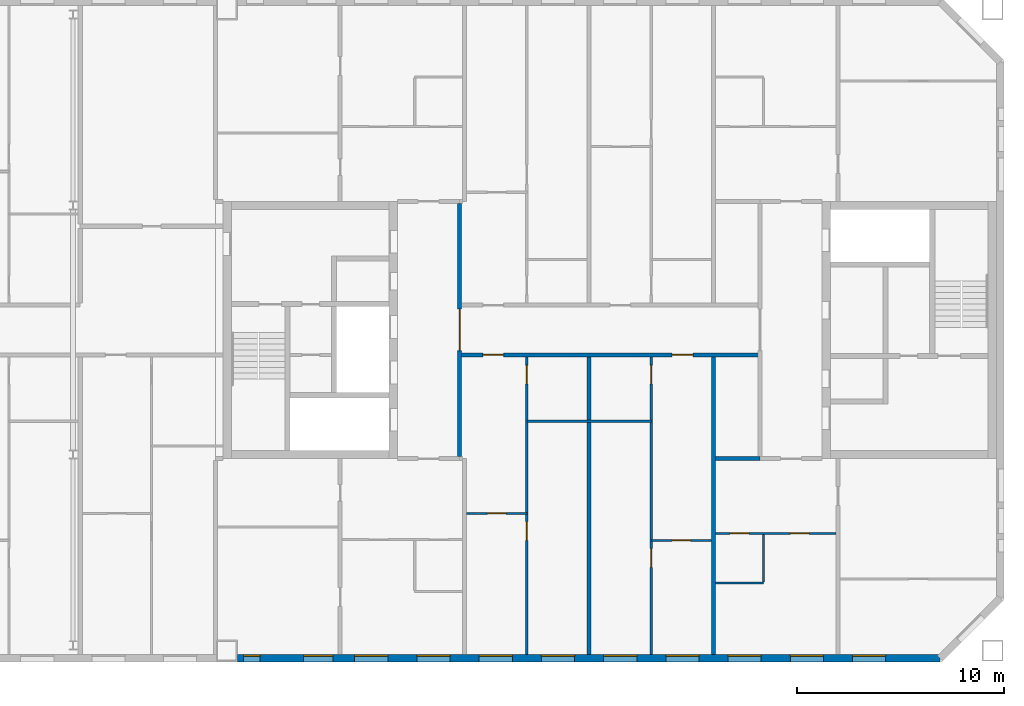
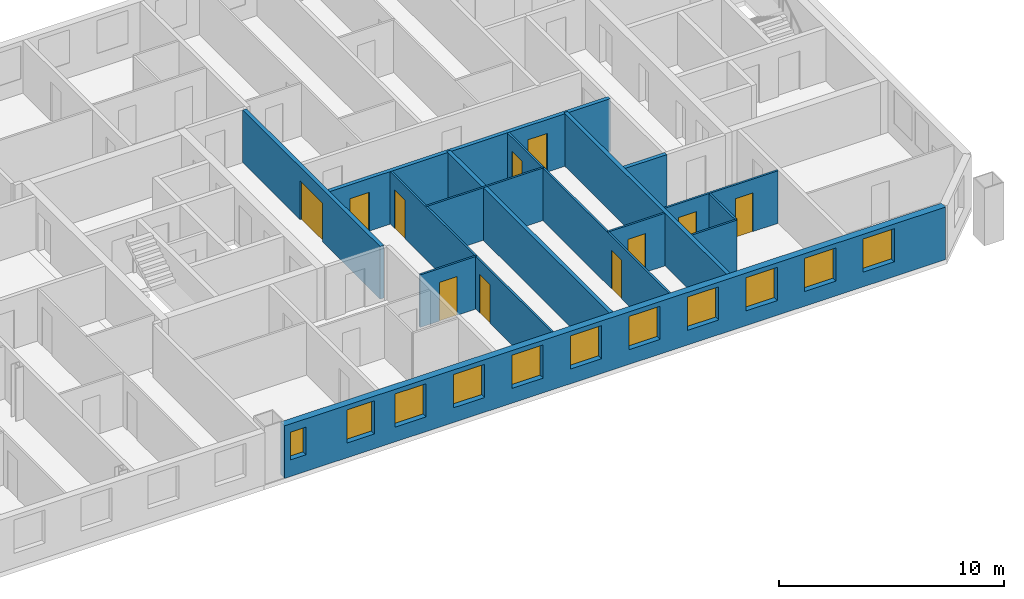
# One storey, part 14 of 19: 14 walls, 11 doors, 11 windows, 22 openings.
"""IFC4 building model written with IfcOpenShell, lengths in metres."""

from ifc_helpers import new_model, si_unit, direction, frame, frame_2d, origin, place, context, subcontext, project, spatial, rectangle, extrude, material, layer, layer_set, type_object, element, fill, save


model = new_model("IFC4")

# Units and contexts
model_context = context("Model", 3, precision=1e-05, world=origin(), true_north=direction((0.0, 1.0)))
body_context = subcontext(model_context, "Body", "Model", "MODEL_VIEW")
ifc_project = project(units=[si_unit("LENGTHUNIT", "METRE"), si_unit("AREAUNIT", "SQUARE_METRE"), si_unit("VOLUMEUNIT", "CUBIC_METRE"), si_unit("PLANEANGLEUNIT", "RADIAN"), si_unit("MASSUNIT", "GRAM", prefix="KILO")], contexts=[model_context])

# Site, building, storey
site_placement = place(None, origin())
site = spatial("IfcSite", under=ifc_project, at=site_placement, CompositionType="ELEMENT")
building_placement = place(site_placement, origin())
building = spatial("IfcBuilding", under=site, at=building_placement, Name="Tuart Gate Housing", CompositionType="ELEMENT")
storey_placement = place(building_placement, frame((0.0, 0.0, 205.89990234375)))
storey = spatial("IfcBuildingStorey", under=building, at=storey_placement, Name="L58", CompositionType="ELEMENT", Elevation=205.89990234375)

# Wall, openings, windows
ifc_material_1 = material(Name="Brick", Category="masonry")
ifc_layer_1 = layer(ifc_material_1, 0.360107421875)
ifc_layer_set_1 = layer_set([ifc_layer_1], Name="Brick pier and spandrel wall 360")
wall_type_1 = type_object("IfcWallType", Name="Brick pier and spandrel wall 360", PredefinedType="STANDARD", material=ifc_layer_set_1)
wall_1_placement = place(storey_placement, frame((132.050048828125, 54.179931640625, 0.0), z_axis=(0.0, 0.0, 1.0), x_axis=(1.0, 0.0, 0.0)))
wall_1 = element("IfcWall", 1, at=wall_1_placement, inside=storey, type_object=wall_type_1, Name="External wall BLK-S L58", PredefinedType="STANDARD", context=body_context, shape_type="SweptSolid", body=[
    extrude(rectangle(XDim=33.87548828125, YDim=0.360107421875, at=frame_2d((16.937744140625, 0.0))), origin(), (0.0, 0.0, 1.0), 2.85009765625),
])
opening_1_placement = place(wall_1_placement, frame((0.300048828125, 0.0, 0.89990234375)))
opening_1 = element("IfcOpeningElement", 2, at=opening_1_placement, cuts=wall_1, Name="Opening W1J", PredefinedType="OPENING", context=body_context, shape_type="SweptSolid", body=[
    extrude(rectangle(XDim=0.800048828125, YDim=1.5, at=frame_2d((0.39990234375, 0.75))), frame((0.0, 0.18994140625, 0.0), z_axis=(0.0, -1.0, 0.0), x_axis=(1.0, 0.0, 0.0)), (0.0, 0.0, 1.0), 0.380126953125),
])
opening_2_placement = place(wall_1_placement, frame((5.64990234375, 0.0, 0.800048828125)))
opening_2 = element("IfcOpeningElement", 3, at=opening_2_placement, cuts=wall_1, Name="Opening W1", PredefinedType="OPENING", context=body_context, shape_type="SweptSolid", body=[
    extrude(rectangle(XDim=1.60009765625, YDim=1.800048828125, at=frame_2d((0.800048828125, 0.89990234375))), frame((0.0, 0.18994140625, 0.0), z_axis=(0.0, -1.0, 0.0), x_axis=(1.0, 0.0, 0.0)), (0.0, 0.0, 1.0), 0.380126953125),
])
opening_3_placement = place(wall_1_placement, frame((8.64990234375, 0.0, 0.800048828125)))
opening_3 = element("IfcOpeningElement", 4, at=opening_3_placement, cuts=wall_1, Name="Opening W1", PredefinedType="OPENING", context=body_context, shape_type="SweptSolid", body=[
    extrude(rectangle(XDim=1.60009765625, YDim=1.800048828125, at=frame_2d((0.800048828125, 0.89990234375))), frame((0.0, 0.18994140625, 0.0), z_axis=(0.0, -1.0, 0.0), x_axis=(1.0, 0.0, 0.0)), (0.0, 0.0, 1.0), 0.380126953125),
])
opening_4_placement = place(wall_1_placement, frame((11.64990234375, 0.0, 0.800048828125)))
opening_4 = element("IfcOpeningElement", 5, at=opening_4_placement, cuts=wall_1, Name="Opening W1", PredefinedType="OPENING", context=body_context, shape_type="SweptSolid", body=[
    extrude(rectangle(XDim=1.60009765625, YDim=1.800048828125, at=frame_2d((0.800048828125, 0.89990234375))), frame((0.0, 0.18994140625, 0.0), z_axis=(0.0, -1.0, 0.0), x_axis=(1.0, 0.0, 0.0)), (0.0, 0.0, 1.0), 0.380126953125),
])
opening_5_placement = place(wall_1_placement, frame((14.64990234375, 0.0, 0.800048828125)))
opening_5 = element("IfcOpeningElement", 6, at=opening_5_placement, cuts=wall_1, Name="Opening W1", PredefinedType="OPENING", context=body_context, shape_type="SweptSolid", body=[
    extrude(rectangle(XDim=1.60009765625, YDim=1.800048828125, at=frame_2d((0.800048828125, 0.89990234375))), frame((0.0, 0.18994140625, 0.0), z_axis=(0.0, -1.0, 0.0), x_axis=(1.0, 0.0, 0.0)), (0.0, 0.0, 1.0), 0.380126953125),
])
opening_6_placement = place(wall_1_placement, frame((17.64990234375, 0.0, 0.800048828125)))
opening_6 = element("IfcOpeningElement", 7, at=opening_6_placement, cuts=wall_1, Name="Opening W1", PredefinedType="OPENING", context=body_context, shape_type="SweptSolid", body=[
    extrude(rectangle(XDim=1.60009765625, YDim=1.800048828125, at=frame_2d((0.800048828125, 0.89990234375))), frame((0.0, 0.18994140625, 0.0), z_axis=(0.0, -1.0, 0.0), x_axis=(1.0, 0.0, 0.0)), (0.0, 0.0, 1.0), 0.380126953125),
])
opening_7_placement = place(wall_1_placement, frame((20.64990234375, 0.0, 0.800048828125)))
opening_7 = element("IfcOpeningElement", 8, at=opening_7_placement, cuts=wall_1, Name="Opening W1", PredefinedType="OPENING", context=body_context, shape_type="SweptSolid", body=[
    extrude(rectangle(XDim=1.60009765625, YDim=1.800048828125, at=frame_2d((0.800048828125, 0.89990234375))), frame((0.0, 0.18994140625, 0.0), z_axis=(0.0, -1.0, 0.0), x_axis=(1.0, 0.0, 0.0)), (0.0, 0.0, 1.0), 0.380126953125),
])
opening_8_placement = place(wall_1_placement, frame((23.64990234375, 0.0, 0.800048828125)))
opening_8 = element("IfcOpeningElement", 9, at=opening_8_placement, cuts=wall_1, Name="Opening W1", PredefinedType="OPENING", context=body_context, shape_type="SweptSolid", body=[
    extrude(rectangle(XDim=1.60009765625, YDim=1.800048828125, at=frame_2d((0.800048828125, 0.89990234375))), frame((0.0, 0.18994140625, 0.0), z_axis=(0.0, -1.0, 0.0), x_axis=(1.0, 0.0, 0.0)), (0.0, 0.0, 1.0), 0.380126953125),
])
opening_9_placement = place(wall_1_placement, frame((26.64990234375, 0.0, 0.800048828125)))
opening_9 = element("IfcOpeningElement", 10, at=opening_9_placement, cuts=wall_1, Name="Opening W1", PredefinedType="OPENING", context=body_context, shape_type="SweptSolid", body=[
    extrude(rectangle(XDim=1.60009765625, YDim=1.800048828125, at=frame_2d((0.800048828125, 0.89990234375))), frame((0.0, 0.18994140625, 0.0), z_axis=(0.0, -1.0, 0.0), x_axis=(1.0, 0.0, 0.0)), (0.0, 0.0, 1.0), 0.380126953125),
])
opening_10_placement = place(wall_1_placement, frame((29.64990234375, 0.0, 0.800048828125)))
opening_10 = element("IfcOpeningElement", 11, at=opening_10_placement, cuts=wall_1, Name="Opening W1", PredefinedType="OPENING", context=body_context, shape_type="SweptSolid", body=[
    extrude(rectangle(XDim=1.60009765625, YDim=1.800048828125, at=frame_2d((0.800048828125, 0.89990234375))), frame((0.0, 0.18994140625, 0.0), z_axis=(0.0, -1.0, 0.0), x_axis=(1.0, 0.0, 0.0)), (0.0, 0.0, 1.0), 0.380126953125),
])
opening_11_placement = place(wall_1_placement, frame((3.199951171875, 0.0, 0.800048828125)))
opening_11 = element("IfcOpeningElement", 12, at=opening_11_placement, cuts=wall_1, Name="Opening W1A", PredefinedType="OPENING", context=body_context, shape_type="SweptSolid", body=[
    extrude(rectangle(XDim=1.39990234375, YDim=1.800048828125, at=frame_2d((0.699951171875, 0.89990234375))), frame((0.0, 0.18994140625, 0.0), z_axis=(0.0, -1.0, 0.0), x_axis=(1.0, 0.0, 0.0)), (0.0, 0.0, 1.0), 0.380126953125),
])
ifc_material_2 = material(Name="Aluminium frame with clear glass", Category="aluminium")
window_type_1 = type_object("IfcWindowType", Name="Punched window 1400 x 1800", PartitioningType="SINGLE_PANEL", PredefinedType="WINDOW", material=ifc_material_2)
window_1_placement = place(opening_11_placement, origin())
window_1 = element("IfcWindow", 13, at=window_1_placement, inside=storey, type_object=window_type_1, Name="Window W1A", OverallHeight=1.800048828125, OverallWidth=1.39990234375, PartitioningType="SINGLE_PANEL", PredefinedType="WINDOW", context=body_context, shape_type="SweptSolid", body=[
    extrude(rectangle(XDim=1.39990234375, YDim=1.800048828125, at=frame_2d((0.699951171875, 0.89990234375))), frame((0.0, 0.150146484375, 0.0), z_axis=(0.0, -1.0, 0.0), x_axis=(1.0, 0.0, 0.0)), (0.0, 0.0, 1.0), 0.06005859375),
])
fill(opening_11, window_1)
ifc_material_3 = material(Name="Aluminium frame with clear glass", Category="aluminium")
window_type_2 = type_object("IfcWindowType", Name="Punched window 1600 x 1800", PartitioningType="SINGLE_PANEL", PredefinedType="WINDOW", material=ifc_material_3)
window_2_placement = place(opening_2_placement, origin())
window_2 = element("IfcWindow", 14, at=window_2_placement, inside=storey, type_object=window_type_2, Name="Window W1", OverallHeight=1.800048828125, OverallWidth=1.60009765625, PartitioningType="SINGLE_PANEL", PredefinedType="WINDOW", context=body_context, shape_type="SweptSolid", body=[
    extrude(rectangle(XDim=1.60009765625, YDim=1.800048828125, at=frame_2d((0.800048828125, 0.89990234375))), frame((0.0, 0.150146484375, 0.0), z_axis=(0.0, -1.0, 0.0), x_axis=(1.0, 0.0, 0.0)), (0.0, 0.0, 1.0), 0.06005859375),
])
fill(opening_2, window_2)
window_3_placement = place(opening_3_placement, origin())
window_3 = element("IfcWindow", 15, at=window_3_placement, inside=storey, type_object=window_type_2, Name="Window W1", OverallHeight=1.800048828125, OverallWidth=1.60009765625, PartitioningType="SINGLE_PANEL", PredefinedType="WINDOW", context=body_context, shape_type="SweptSolid", body=[
    extrude(rectangle(XDim=1.60009765625, YDim=1.800048828125, at=frame_2d((0.800048828125, 0.89990234375))), frame((0.0, 0.150146484375, 0.0), z_axis=(0.0, -1.0, 0.0), x_axis=(1.0, 0.0, 0.0)), (0.0, 0.0, 1.0), 0.06005859375),
])
fill(opening_3, window_3)
window_4_placement = place(opening_4_placement, origin())
window_4 = element("IfcWindow", 16, at=window_4_placement, inside=storey, type_object=window_type_2, Name="Window W1", OverallHeight=1.800048828125, OverallWidth=1.60009765625, PartitioningType="SINGLE_PANEL", PredefinedType="WINDOW", context=body_context, shape_type="SweptSolid", body=[
    extrude(rectangle(XDim=1.60009765625, YDim=1.800048828125, at=frame_2d((0.800048828125, 0.89990234375))), frame((0.0, 0.150146484375, 0.0), z_axis=(0.0, -1.0, 0.0), x_axis=(1.0, 0.0, 0.0)), (0.0, 0.0, 1.0), 0.06005859375),
])
fill(opening_4, window_4)
window_5_placement = place(opening_5_placement, origin())
window_5 = element("IfcWindow", 17, at=window_5_placement, inside=storey, type_object=window_type_2, Name="Window W1", OverallHeight=1.800048828125, OverallWidth=1.60009765625, PartitioningType="SINGLE_PANEL", PredefinedType="WINDOW", context=body_context, shape_type="SweptSolid", body=[
    extrude(rectangle(XDim=1.60009765625, YDim=1.800048828125, at=frame_2d((0.800048828125, 0.89990234375))), frame((0.0, 0.150146484375, 0.0), z_axis=(0.0, -1.0, 0.0), x_axis=(1.0, 0.0, 0.0)), (0.0, 0.0, 1.0), 0.06005859375),
])
fill(opening_5, window_5)
window_6_placement = place(opening_6_placement, origin())
window_6 = element("IfcWindow", 18, at=window_6_placement, inside=storey, type_object=window_type_2, Name="Window W1", OverallHeight=1.800048828125, OverallWidth=1.60009765625, PartitioningType="SINGLE_PANEL", PredefinedType="WINDOW", context=body_context, shape_type="SweptSolid", body=[
    extrude(rectangle(XDim=1.60009765625, YDim=1.800048828125, at=frame_2d((0.800048828125, 0.89990234375))), frame((0.0, 0.150146484375, 0.0), z_axis=(0.0, -1.0, 0.0), x_axis=(1.0, 0.0, 0.0)), (0.0, 0.0, 1.0), 0.06005859375),
])
fill(opening_6, window_6)
window_7_placement = place(opening_7_placement, origin())
window_7 = element("IfcWindow", 19, at=window_7_placement, inside=storey, type_object=window_type_2, Name="Window W1", OverallHeight=1.800048828125, OverallWidth=1.60009765625, PartitioningType="SINGLE_PANEL", PredefinedType="WINDOW", context=body_context, shape_type="SweptSolid", body=[
    extrude(rectangle(XDim=1.60009765625, YDim=1.800048828125, at=frame_2d((0.800048828125, 0.89990234375))), frame((0.0, 0.150146484375, 0.0), z_axis=(0.0, -1.0, 0.0), x_axis=(1.0, 0.0, 0.0)), (0.0, 0.0, 1.0), 0.06005859375),
])
fill(opening_7, window_7)
window_8_placement = place(opening_8_placement, origin())
window_8 = element("IfcWindow", 20, at=window_8_placement, inside=storey, type_object=window_type_2, Name="Window W1", OverallHeight=1.800048828125, OverallWidth=1.60009765625, PartitioningType="SINGLE_PANEL", PredefinedType="WINDOW", context=body_context, shape_type="SweptSolid", body=[
    extrude(rectangle(XDim=1.60009765625, YDim=1.800048828125, at=frame_2d((0.800048828125, 0.89990234375))), frame((0.0, 0.150146484375, 0.0), z_axis=(0.0, -1.0, 0.0), x_axis=(1.0, 0.0, 0.0)), (0.0, 0.0, 1.0), 0.06005859375),
])
fill(opening_8, window_8)
window_9_placement = place(opening_9_placement, origin())
window_9 = element("IfcWindow", 21, at=window_9_placement, inside=storey, type_object=window_type_2, Name="Window W1", OverallHeight=1.800048828125, OverallWidth=1.60009765625, PartitioningType="SINGLE_PANEL", PredefinedType="WINDOW", context=body_context, shape_type="SweptSolid", body=[
    extrude(rectangle(XDim=1.60009765625, YDim=1.800048828125, at=frame_2d((0.800048828125, 0.89990234375))), frame((0.0, 0.150146484375, 0.0), z_axis=(0.0, -1.0, 0.0), x_axis=(1.0, 0.0, 0.0)), (0.0, 0.0, 1.0), 0.06005859375),
])
fill(opening_9, window_9)
window_10_placement = place(opening_10_placement, origin())
window_10 = element("IfcWindow", 22, at=window_10_placement, inside=storey, type_object=window_type_2, Name="Window W1", OverallHeight=1.800048828125, OverallWidth=1.60009765625, PartitioningType="SINGLE_PANEL", PredefinedType="WINDOW", context=body_context, shape_type="SweptSolid", body=[
    extrude(rectangle(XDim=1.60009765625, YDim=1.800048828125, at=frame_2d((0.800048828125, 0.89990234375))), frame((0.0, 0.150146484375, 0.0), z_axis=(0.0, -1.0, 0.0), x_axis=(1.0, 0.0, 0.0)), (0.0, 0.0, 1.0), 0.06005859375),
])
fill(opening_10, window_10)
ifc_material_4 = material(Name="Aluminium frame with clear glass", Category="aluminium")
window_type_3 = type_object("IfcWindowType", Name="Punched window 800 x 1500", PartitioningType="SINGLE_PANEL", PredefinedType="WINDOW", material=ifc_material_4)
window_11_placement = place(opening_1_placement, origin())
window_11 = element("IfcWindow", 23, at=window_11_placement, inside=storey, type_object=window_type_3, Name="Window W1J", OverallHeight=1.5, OverallWidth=0.800048828125, PartitioningType="SINGLE_PANEL", PredefinedType="WINDOW", context=body_context, shape_type="SweptSolid", body=[
    extrude(rectangle(XDim=0.800048828125, YDim=1.5, at=frame_2d((0.39990234375, 0.75))), frame((0.0, 0.150146484375, 0.0), z_axis=(0.0, -1.0, 0.0), x_axis=(1.0, 0.0, 0.0)), (0.0, 0.0, 1.0), 0.06005859375),
])
fill(opening_1, window_11)

# Wall, openings, doors
ifc_material_5 = material(Name="Concrete masonry 15 MPa", Category="masonry")
ifc_layer_2 = layer(ifc_material_5, 0.199951171875)
ifc_layer_set_2 = layer_set([ifc_layer_2], Name="Corridor wall masonry 200")
wall_type_2 = type_object("IfcWallType", Name="Corridor wall masonry 200", PredefinedType="PARTITIONING", material=ifc_layer_set_2)
wall_2_placement = place(storey_placement, frame((142.760009765625, 68.800048828125, 0.0), z_axis=(0.0, 0.0, 1.0), x_axis=(1.0, 0.0, 0.0)))
wall_2 = element("IfcWall", 24, at=wall_2_placement, inside=storey, type_object=wall_type_2, Name="Corridor wall masonry 200", PredefinedType="PARTITIONING", context=body_context, shape_type="SweptSolid", body=[
    extrude(rectangle(XDim=14.47998046875, YDim=0.199951171875, at=frame_2d((7.239990234375, 0.0))), origin(), (0.0, 0.0, 1.0), 2.85009765625),
])
opening_12_placement = place(wall_2_placement, frame((1.1201171875, 0.0, 0.0)))
opening_12 = element("IfcOpeningElement", 25, at=opening_12_placement, cuts=wall_2, Name="Opening D2089", PredefinedType="OPENING", context=body_context, shape_type="SweptSolid", body=[
    extrude(rectangle(XDim=1.0, YDim=2.10009765625, at=frame_2d((0.5, 1.050048828125))), frame((0.0, 0.10986328125, 0.0), z_axis=(0.0, -1.0, 0.0), x_axis=(1.0, 0.0, 0.0)), (0.0, 0.0, 1.0), 0.219970703125),
])
opening_13_placement = place(wall_2_placement, frame((10.239990234375, 0.0, 0.0)))
opening_13 = element("IfcOpeningElement", 26, at=opening_13_placement, cuts=wall_2, Name="Opening D2090", PredefinedType="OPENING", context=body_context, shape_type="SweptSolid", body=[
    extrude(rectangle(XDim=1.0, YDim=2.10009765625, at=frame_2d((0.5, 1.050048828125))), frame((0.0, 0.10986328125, 0.0), z_axis=(0.0, -1.0, 0.0), x_axis=(1.0, 0.0, 0.0)), (0.0, 0.0, 1.0), 0.219970703125),
])
ifc_material_6 = material(Name="Timber door leaf in steel frame", Category="steel")
door_type_1 = type_object("IfcDoorType", Name="Flat entrance door 1000 RH", OperationType="SINGLE_SWING_RIGHT", PredefinedType="DOOR", material=ifc_material_6)
door_1_placement = place(opening_12_placement, frame((1.0, 0.0, 0.0), z_axis=(0.0, 0.0, 1.0), x_axis=(-1.0, 0.0, 0.0)))
door_1 = element("IfcDoor", 27, at=door_1_placement, inside=storey, type_object=door_type_1, Name="Flat entrance door", OperationType="SINGLE_SWING_RIGHT", OverallHeight=2.10009765625, OverallWidth=1.0, PredefinedType="DOOR", context=body_context, shape_type="SweptSolid", body=[
    extrude(rectangle(XDim=1.0, YDim=2.10009765625, at=frame_2d((0.5, 1.050048828125))), frame((0.0, 0.025146484375, 0.0), z_axis=(0.0, -1.0, 0.0), x_axis=(1.0, 0.0, 0.0)), (0.0, 0.0, 1.0), 0.050048828125),
])
fill(opening_12, door_1)
door_2_placement = place(opening_13_placement, frame((1.0, 0.0, 0.0), z_axis=(0.0, 0.0, 1.0), x_axis=(-1.0, 0.0, 0.0)))
door_2 = element("IfcDoor", 28, at=door_2_placement, inside=storey, type_object=door_type_1, Name="Flat entrance door", OperationType="SINGLE_SWING_RIGHT", OverallHeight=2.10009765625, OverallWidth=1.0, PredefinedType="DOOR", context=body_context, shape_type="SweptSolid", body=[
    extrude(rectangle(XDim=1.0, YDim=2.10009765625, at=frame_2d((0.5, 1.050048828125))), frame((0.0, 0.025146484375, 0.0), z_axis=(0.0, -1.0, 0.0), x_axis=(1.0, 0.0, 0.0)), (0.0, 0.0, 1.0), 0.050048828125),
])
fill(opening_13, door_2)

# Wall, opening, door
ifc_material_7 = material(Name="Plasterboard partition")
ifc_layer_3 = layer(ifc_material_7, 0.199951171875)
ifc_layer_set_3 = layer_set([ifc_layer_3], Name="Lobby wall 200")
wall_type_3 = type_object("IfcWallType", Name="Lobby wall 200", PredefinedType="PARTITIONING", material=ifc_layer_set_3)
wall_3_placement = place(storey_placement, frame((142.760009765625, 63.89990234375, 0.0), z_axis=(0.0, 0.0, 1.0), x_axis=(0.0, 1.0, 0.0)))
wall_3 = element("IfcWall", 29, at=wall_3_placement, inside=storey, type_object=wall_type_3, Name="Lift lobby wall BG", PredefinedType="PARTITIONING", context=body_context, shape_type="SweptSolid", body=[
    extrude(rectangle(XDim=12.2001953125, YDim=0.199951171875, at=frame_2d((6.10009765625, 0.0))), origin(), (0.0, 0.0, 1.0), 2.85009765625),
])
opening_14_placement = place(wall_3_placement, frame((5.10009765625, 0.0, 0.0)))
opening_14 = element("IfcOpeningElement", 30, at=opening_14_placement, cuts=wall_3, Name="Opening D2083", PredefinedType="OPENING", context=body_context, shape_type="SweptSolid", body=[
    extrude(rectangle(XDim=2.0, YDim=2.10009765625, at=frame_2d((1.0, 1.050048828125))), frame((0.0, 0.10986328125, 0.0), z_axis=(0.0, -1.0, 0.0), x_axis=(1.0, 0.0, 0.0)), (0.0, 0.0, 1.0), 0.219970703125),
])
ifc_material_8 = material(Name="Steel fire door", Category="steel")
door_type_2 = type_object("IfcDoorType", Name="Smoke door 2000 x 2100", OperationType="DOUBLE_DOOR_SINGLE_SWING", PredefinedType="DOOR", material=ifc_material_8)
door_3_placement = place(opening_14_placement, origin())
door_3 = element("IfcDoor", 31, at=door_3_placement, inside=storey, type_object=door_type_2, Name="Lift lobby smoke door BG", OperationType="DOUBLE_DOOR_SINGLE_SWING", OverallHeight=2.10009765625, OverallWidth=2.0, PredefinedType="DOOR", context=body_context, shape_type="SweptSolid", body=[
    extrude(rectangle(XDim=2.0, YDim=2.10009765625, at=frame_2d((1.0, 1.050048828125))), frame((0.0, 0.02490234375, 0.0), z_axis=(0.0, -1.0, 0.0), x_axis=(1.0, 0.0, 0.0)), (0.0, 0.0, 1.0), 0.050048828125),
])
fill(opening_14, door_3)

# Wall
ifc_material_9 = material(Name="Gypsum board on steel studs", Category="steel")
ifc_layer_4 = layer(ifc_material_9, 0.10009765625)
ifc_layer_set_4 = layer_set([ifc_layer_4], Name="Partition 100")
wall_type_4 = type_object("IfcWallType", Name="Partition 100", PredefinedType="PARTITIONING", material=ifc_layer_set_4)
wall_4_placement = place(storey_placement, frame((155.10009765625, 57.800048828125, 0.0), z_axis=(0.0, 0.0, 1.0), x_axis=(1.0, 0.0, 0.0)))
element("IfcWall", 32, at=wall_4_placement, inside=storey, type_object=wall_type_4, Name="Partition 100", PredefinedType="PARTITIONING", context=body_context, shape_type="SweptSolid", body=[
    extrude(rectangle(XDim=2.2998046875, YDim=0.10009765625, at=frame_2d((1.14990234375, 0.0))), origin(), (0.0, 0.0, 1.0), 2.85009765625),
])

# Wall, opening, door
wall_5_placement = place(storey_placement, frame((152.0, 59.860107421875, 0.0), z_axis=(0.0, 0.0, 1.0), x_axis=(1.0, 0.0, 0.0)))
wall_5 = element("IfcWall", 33, at=wall_5_placement, inside=storey, type_object=wall_type_4, Name="Partition 100", PredefinedType="PARTITIONING", context=body_context, shape_type="SweptSolid", body=[
    extrude(rectangle(XDim=2.89990234375, YDim=0.10009765625, at=frame_2d((1.449951171875, 0.0))), origin(), (0.0, 0.0, 1.0), 2.85009765625),
])
opening_15_placement = place(wall_5_placement, frame((1.0, 0.0, 0.0)))
opening_15 = element("IfcOpeningElement", 34, at=opening_15_placement, cuts=wall_5, Name="Opening D2104", PredefinedType="OPENING", context=body_context, shape_type="SweptSolid", body=[
    extrude(rectangle(XDim=0.89990234375, YDim=2.10009765625, at=frame_2d((0.449951171875, 1.050048828125))), frame((0.0, 0.06005859375, 0.0), z_axis=(0.0, -1.0, 0.0), x_axis=(1.0, 0.0, 0.0)), (0.0, 0.0, 1.0), 0.1201171875),
])
ifc_material_10 = material(Name="Timber door leaf in steel frame", Category="steel")
door_type_3 = type_object("IfcDoorType", Name="Internal door 900", OperationType="SINGLE_SWING_LEFT", PredefinedType="DOOR", material=ifc_material_10)
door_4_placement = place(opening_15_placement, origin())
door_4 = element("IfcDoor", 35, at=door_4_placement, inside=storey, type_object=door_type_3, Name="Internal door", OperationType="SINGLE_SWING_LEFT", OverallHeight=2.10009765625, OverallWidth=0.89990234375, PredefinedType="DOOR", context=body_context, shape_type="SweptSolid", body=[
    extrude(rectangle(XDim=0.89990234375, YDim=2.10009765625, at=frame_2d((0.449951171875, 1.050048828125))), frame((0.0, 0.02490234375, 0.0), z_axis=(0.0, -1.0, 0.0), x_axis=(1.0, 0.0, 0.0)), (0.0, 0.0, 1.0), 0.050048828125),
])
fill(opening_15, door_4)

# Wall, openings, doors
wall_6_placement = place(storey_placement, frame((155.10009765625, 60.199951171875, 0.0), z_axis=(0.0, 0.0, 1.0), x_axis=(1.0, 0.0, 0.0)))
wall_6 = element("IfcWall", 36, at=wall_6_placement, inside=storey, type_object=wall_type_4, Name="Partition 100", PredefinedType="PARTITIONING", context=body_context, shape_type="SweptSolid", body=[
    extrude(rectangle(XDim=5.7998046875, YDim=0.10009765625, at=frame_2d((2.89990234375, 0.0))), origin(), (0.0, 0.0, 1.0), 2.85009765625),
])
opening_16_placement = place(wall_6_placement, frame((3.60009765625, 0.0, 0.0)))
opening_16 = element("IfcOpeningElement", 37, at=opening_16_placement, cuts=wall_6, Name="Opening D2101", PredefinedType="OPENING", context=body_context, shape_type="SweptSolid", body=[
    extrude(rectangle(XDim=0.89990234375, YDim=2.10009765625, at=frame_2d((0.449951171875, 1.050048828125))), frame((0.0, 0.06005859375, 0.0), z_axis=(0.0, -1.0, 0.0), x_axis=(1.0, 0.0, 0.0)), (0.0, 0.0, 1.0), 0.1201171875),
])
opening_17_placement = place(wall_6_placement, frame((0.699951171875, 0.0, 0.0)))
opening_17 = element("IfcOpeningElement", 38, at=opening_17_placement, cuts=wall_6, Name="Opening D2100", PredefinedType="OPENING", context=body_context, shape_type="SweptSolid", body=[
    extrude(rectangle(XDim=0.89990234375, YDim=2.10009765625, at=frame_2d((0.449951171875, 1.050048828125))), frame((0.0, 0.06005859375, 0.0), z_axis=(0.0, -1.0, 0.0), x_axis=(1.0, 0.0, 0.0)), (0.0, 0.0, 1.0), 0.1201171875),
])
ifc_material_11 = material(Name="Timber door leaf in steel frame", Category="steel")
door_type_4 = type_object("IfcDoorType", Name="Bathroom door 900", OperationType="SINGLE_SWING_LEFT", PredefinedType="DOOR", material=ifc_material_11)
door_5_placement = place(opening_17_placement, frame((0.89990234375, 0.0, 0.0), z_axis=(0.0, 0.0, 1.0), x_axis=(-1.0, 0.0, 0.0)))
door_5 = element("IfcDoor", 39, at=door_5_placement, inside=storey, type_object=door_type_4, Name="Bathroom door", OperationType="SINGLE_SWING_LEFT", OverallHeight=2.10009765625, OverallWidth=0.89990234375, PredefinedType="DOOR", context=body_context, shape_type="SweptSolid", body=[
    extrude(rectangle(XDim=0.89990234375, YDim=2.10009765625, at=frame_2d((0.449951171875, 1.050048828125))), frame((0.0, 0.025146484375, 0.0), z_axis=(0.0, -1.0, 0.0), x_axis=(1.0, 0.0, 0.0)), (0.0, 0.0, 1.0), 0.050048828125),
])
fill(opening_17, door_5)
ifc_material_12 = material(Name="Timber door leaf in steel frame", Category="steel")
door_type_5 = type_object("IfcDoorType", Name="Internal door 900 RH", OperationType="SINGLE_SWING_RIGHT", PredefinedType="DOOR", material=ifc_material_12)
door_6_placement = place(opening_16_placement, frame((0.89990234375, 0.0, 0.0), z_axis=(0.0, 0.0, 1.0), x_axis=(-1.0, 0.0, 0.0)))
door_6 = element("IfcDoor", 40, at=door_6_placement, inside=storey, type_object=door_type_5, Name="Internal door", OperationType="SINGLE_SWING_RIGHT", OverallHeight=2.10009765625, OverallWidth=0.89990234375, PredefinedType="DOOR", context=body_context, shape_type="SweptSolid", body=[
    extrude(rectangle(XDim=0.89990234375, YDim=2.10009765625, at=frame_2d((0.449951171875, 1.050048828125))), frame((0.0, 0.025146484375, 0.0), z_axis=(0.0, -1.0, 0.0), x_axis=(1.0, 0.0, 0.0)), (0.0, 0.0, 1.0), 0.050048828125),
])
fill(opening_16, door_6)

# Wall, opening, door
wall_7_placement = place(storey_placement, frame((143.10009765625, 61.159912109375, 0.0), z_axis=(0.0, 0.0, 1.0), x_axis=(1.0, 0.0, 0.0)))
wall_7 = element("IfcWall", 41, at=wall_7_placement, inside=storey, type_object=wall_type_4, Name="Partition 100", PredefinedType="PARTITIONING", context=body_context, shape_type="SweptSolid", body=[
    extrude(rectangle(XDim=2.89990234375, YDim=0.10009765625, at=frame_2d((1.449951171875, 0.0))), origin(), (0.0, 0.0, 1.0), 2.85009765625),
])
opening_18_placement = place(wall_7_placement, frame((1.0, 0.0, 0.0)))
opening_18 = element("IfcOpeningElement", 42, at=opening_18_placement, cuts=wall_7, Name="Opening D2099", PredefinedType="OPENING", context=body_context, shape_type="SweptSolid", body=[
    extrude(rectangle(XDim=0.89990234375, YDim=2.10009765625, at=frame_2d((0.449951171875, 1.050048828125))), frame((0.0, 0.06005859375, 0.0), z_axis=(0.0, -1.0, 0.0), x_axis=(1.0, 0.0, 0.0)), (0.0, 0.0, 1.0), 0.1201171875),
])
door_7_placement = place(opening_18_placement, origin())
door_7 = element("IfcDoor", 43, at=door_7_placement, inside=storey, type_object=door_type_5, Name="Internal door", OperationType="SINGLE_SWING_RIGHT", OverallHeight=2.10009765625, OverallWidth=0.89990234375, PredefinedType="DOOR", context=body_context, shape_type="SweptSolid", body=[
    extrude(rectangle(XDim=0.89990234375, YDim=2.10009765625, at=frame_2d((0.449951171875, 1.050048828125))), frame((0.0, 0.02490234375, 0.0), z_axis=(0.0, -1.0, 0.0), x_axis=(1.0, 0.0, 0.0)), (0.0, 0.0, 1.0), 0.050048828125),
])
fill(opening_18, door_7)

# Wall
wall_8_placement = place(storey_placement, frame((146.0, 65.60009765625, 0.0), z_axis=(0.0, 0.0, 1.0), x_axis=(1.0, 0.0, 0.0)))
element("IfcWall", 44, at=wall_8_placement, inside=storey, type_object=wall_type_4, Name="Partition 100", PredefinedType="PARTITIONING", context=body_context, shape_type="SweptSolid", body=[
    extrude(rectangle(XDim=6.0, YDim=0.10009765625, at=frame_2d((3.0, 0.0))), origin(), (0.0, 0.0, 1.0), 2.85009765625),
])

# Wall, openings, doors
wall_9_placement = place(storey_placement, frame((146.0, 54.360107421875, 0.0), z_axis=(0.0, 0.0, 1.0), x_axis=(0.0, 1.0, 0.0)))
wall_9 = element("IfcWall", 45, at=wall_9_placement, inside=storey, type_object=wall_type_4, Name="Partition 100", PredefinedType="PARTITIONING", context=body_context, shape_type="SweptSolid", body=[
    extrude(rectangle(XDim=14.33984375, YDim=0.10009765625, at=frame_2d((7.169921875, 0.0))), origin(), (0.0, 0.0, 1.0), 2.85009765625),
])
opening_19_placement = place(wall_9_placement, frame((5.5, 0.0, 0.0)))
opening_19 = element("IfcOpeningElement", 46, at=opening_19_placement, cuts=wall_9, Name="Opening D2096", PredefinedType="OPENING", context=body_context, shape_type="SweptSolid", body=[
    extrude(rectangle(XDim=0.89990234375, YDim=2.10009765625, at=frame_2d((0.449951171875, 1.050048828125))), frame((0.0, 0.06005859375, 0.0), z_axis=(0.0, -1.0, 0.0), x_axis=(1.0, 0.0, 0.0)), (0.0, 0.0, 1.0), 0.1201171875),
])
opening_20_placement = place(wall_9_placement, frame((13.0400390625, 0.0, 0.0)))
opening_20 = element("IfcOpeningElement", 47, at=opening_20_placement, cuts=wall_9, Name="Opening D2095", PredefinedType="OPENING", context=body_context, shape_type="SweptSolid", body=[
    extrude(rectangle(XDim=0.89990234375, YDim=2.10009765625, at=frame_2d((0.449951171875, 1.050048828125))), frame((0.0, 0.06005859375, 0.0), z_axis=(0.0, -1.0, 0.0), x_axis=(1.0, 0.0, 0.0)), (0.0, 0.0, 1.0), 0.1201171875),
])
door_8_placement = place(opening_20_placement, frame((0.89990234375, 0.0, 0.0), z_axis=(0.0, 0.0, 1.0), x_axis=(-1.0, 0.0, 0.0)))
door_8 = element("IfcDoor", 48, at=door_8_placement, inside=storey, type_object=door_type_4, Name="Bathroom door", OperationType="SINGLE_SWING_LEFT", OverallHeight=2.10009765625, OverallWidth=0.89990234375, PredefinedType="DOOR", context=body_context, shape_type="SweptSolid", body=[
    extrude(rectangle(XDim=0.89990234375, YDim=2.10009765625, at=frame_2d((0.449951171875, 1.050048828125))), frame((0.0, 0.025146484375, 0.0), z_axis=(0.0, -1.0, 0.0), x_axis=(1.0, 0.0, 0.0)), (0.0, 0.0, 1.0), 0.050048828125),
])
fill(opening_20, door_8)
door_9_placement = place(opening_19_placement, frame((0.89990234375, 0.0, 0.0), z_axis=(0.0, 0.0, 1.0), x_axis=(-1.0, 0.0, 0.0)))
door_9 = element("IfcDoor", 49, at=door_9_placement, inside=storey, type_object=door_type_3, Name="Internal door", OperationType="SINGLE_SWING_LEFT", OverallHeight=2.10009765625, OverallWidth=0.89990234375, PredefinedType="DOOR", context=body_context, shape_type="SweptSolid", body=[
    extrude(rectangle(XDim=0.89990234375, YDim=2.10009765625, at=frame_2d((0.449951171875, 1.050048828125))), frame((0.0, 0.025146484375, 0.0), z_axis=(0.0, -1.0, 0.0), x_axis=(1.0, 0.0, 0.0)), (0.0, 0.0, 1.0), 0.050048828125),
])
fill(opening_19, door_9)

wall_10_placement = place(storey_placement, frame((152.0, 54.360107421875, 0.0), z_axis=(0.0, 0.0, 1.0), x_axis=(0.0, 1.0, 0.0)))
wall_10 = element("IfcWall", 50, at=wall_10_placement, inside=storey, type_object=wall_type_4, Name="Partition 100", PredefinedType="PARTITIONING", context=body_context, shape_type="SweptSolid", body=[
    extrude(rectangle(XDim=14.33984375, YDim=0.10009765625, at=frame_2d((7.169921875, 0.0))), origin(), (0.0, 0.0, 1.0), 2.85009765625),
])
opening_21_placement = place(wall_10_placement, frame((4.199951171875, 0.0, 0.0)))
opening_21 = element("IfcOpeningElement", 51, at=opening_21_placement, cuts=wall_10, Name="Opening D2098", PredefinedType="OPENING", context=body_context, shape_type="SweptSolid", body=[
    extrude(rectangle(XDim=0.89990234375, YDim=2.10009765625, at=frame_2d((0.449951171875, 1.050048828125))), frame((0.0, 0.06005859375, 0.0), z_axis=(0.0, -1.0, 0.0), x_axis=(1.0, 0.0, 0.0)), (0.0, 0.0, 1.0), 0.1201171875),
])
opening_22_placement = place(wall_10_placement, frame((13.0400390625, 0.0, 0.0)))
opening_22 = element("IfcOpeningElement", 52, at=opening_22_placement, cuts=wall_10, Name="Opening D2097", PredefinedType="OPENING", context=body_context, shape_type="SweptSolid", body=[
    extrude(rectangle(XDim=0.89990234375, YDim=2.10009765625, at=frame_2d((0.449951171875, 1.050048828125))), frame((0.0, 0.06005859375, 0.0), z_axis=(0.0, -1.0, 0.0), x_axis=(1.0, 0.0, 0.0)), (0.0, 0.0, 1.0), 0.1201171875),
])
ifc_material_13 = material(Name="Timber door leaf in steel frame", Category="steel")
door_type_6 = type_object("IfcDoorType", Name="Bathroom door 900 RH", OperationType="SINGLE_SWING_RIGHT", PredefinedType="DOOR", material=ifc_material_13)
door_10_placement = place(opening_22_placement, origin())
door_10 = element("IfcDoor", 53, at=door_10_placement, inside=storey, type_object=door_type_6, Name="Bathroom door", OperationType="SINGLE_SWING_RIGHT", OverallHeight=2.10009765625, OverallWidth=0.89990234375, PredefinedType="DOOR", context=body_context, shape_type="SweptSolid", body=[
    extrude(rectangle(XDim=0.89990234375, YDim=2.10009765625, at=frame_2d((0.449951171875, 1.050048828125))), frame((0.0, 0.02490234375, 0.0), z_axis=(0.0, -1.0, 0.0), x_axis=(1.0, 0.0, 0.0)), (0.0, 0.0, 1.0), 0.050048828125),
])
fill(opening_22, door_10)
door_11_placement = place(opening_21_placement, origin())
door_11 = element("IfcDoor", 54, at=door_11_placement, inside=storey, type_object=door_type_3, Name="Internal door", OperationType="SINGLE_SWING_LEFT", OverallHeight=2.10009765625, OverallWidth=0.89990234375, PredefinedType="DOOR", context=body_context, shape_type="SweptSolid", body=[
    extrude(rectangle(XDim=0.89990234375, YDim=2.10009765625, at=frame_2d((0.449951171875, 1.050048828125))), frame((0.0, 0.02490234375, 0.0), z_axis=(0.0, -1.0, 0.0), x_axis=(1.0, 0.0, 0.0)), (0.0, 0.0, 1.0), 0.050048828125),
])
fill(opening_21, door_11)

# Walls
wall_11_placement = place(storey_placement, frame((157.39990234375, 57.85009765625, 0.0), z_axis=(0.0, 0.0, 1.0), x_axis=(0.0, 1.0, 0.0)))
element("IfcWall", 55, at=wall_11_placement, inside=storey, type_object=wall_type_4, Name="Partition 100", PredefinedType="PARTITIONING", context=body_context, shape_type="SweptSolid", body=[
    extrude(rectangle(XDim=2.2998046875, YDim=0.10009765625, at=frame_2d((1.14990234375, 0.0))), origin(), (0.0, 0.0, 1.0), 2.85009765625),
])
ifc_material_14 = material(Name="Concrete C40", Category="concrete")
ifc_layer_5 = layer(ifc_material_14, 0.199951171875)
ifc_layer_set_5 = layer_set([ifc_layer_5], Name="Party wall concrete C40 200")
wall_type_5 = type_object("IfcWallType", Name="Party wall concrete C40 200", PredefinedType="SOLIDWALL", material=ifc_layer_set_5)
for number, where, z_axis, x_axis, name in (
    (56, (149.0, 54.360107421875, 0.0), (0.0, 0.0, 1.0), (0.0, 1.0, 0.0), "Party wall concrete C40 200"),
    (57, (155.0, 54.360107421875, 0.0), (0.0, 0.0, 1.0), (0.0, 1.0, 0.0), "Party wall concrete C40 200"),
):
    element("IfcWall", number, at=place(storey_placement, frame(where, z_axis=z_axis, x_axis=x_axis)), inside=storey, type_object=wall_type_5, Name=name, PredefinedType="SOLIDWALL", context=body_context, shape_type="SweptSolid", body=[
        extrude(rectangle(XDim=14.43994140625, YDim=0.199951171875, at=frame_2d((7.219970703125, 0.0))), origin(), (0.0, 0.0, 1.0), 2.85009765625),
    ])
ifc_material_15 = material(Name="Concrete masonry 15 MPa", Category="masonry")
ifc_layer_6 = layer(ifc_material_15, 0.199951171875)
ifc_layer_set_6 = layer_set([ifc_layer_6], Name="Party wall masonry 200")
wall_type_6 = type_object("IfcWallType", Name="Party wall masonry 200", PredefinedType="PARTITIONING", material=ifc_layer_set_6)
wall_12_placement = place(storey_placement, frame((155.10009765625, 63.800048828125, 0.0), z_axis=(0.0, 0.0, 1.0), x_axis=(1.0, 0.0, 0.0)))
element("IfcWall", 58, at=wall_12_placement, inside=storey, type_object=wall_type_6, Name="Party wall masonry 200", PredefinedType="PARTITIONING", context=body_context, shape_type="SweptSolid", body=[
    extrude(rectangle(XDim=2.139892578125, YDim=0.199951171875, at=frame_2d((1.06982421875, 0.0))), origin(), (0.0, 0.0, 1.0), 2.85009765625),
])

save(model, "model.ifc")
